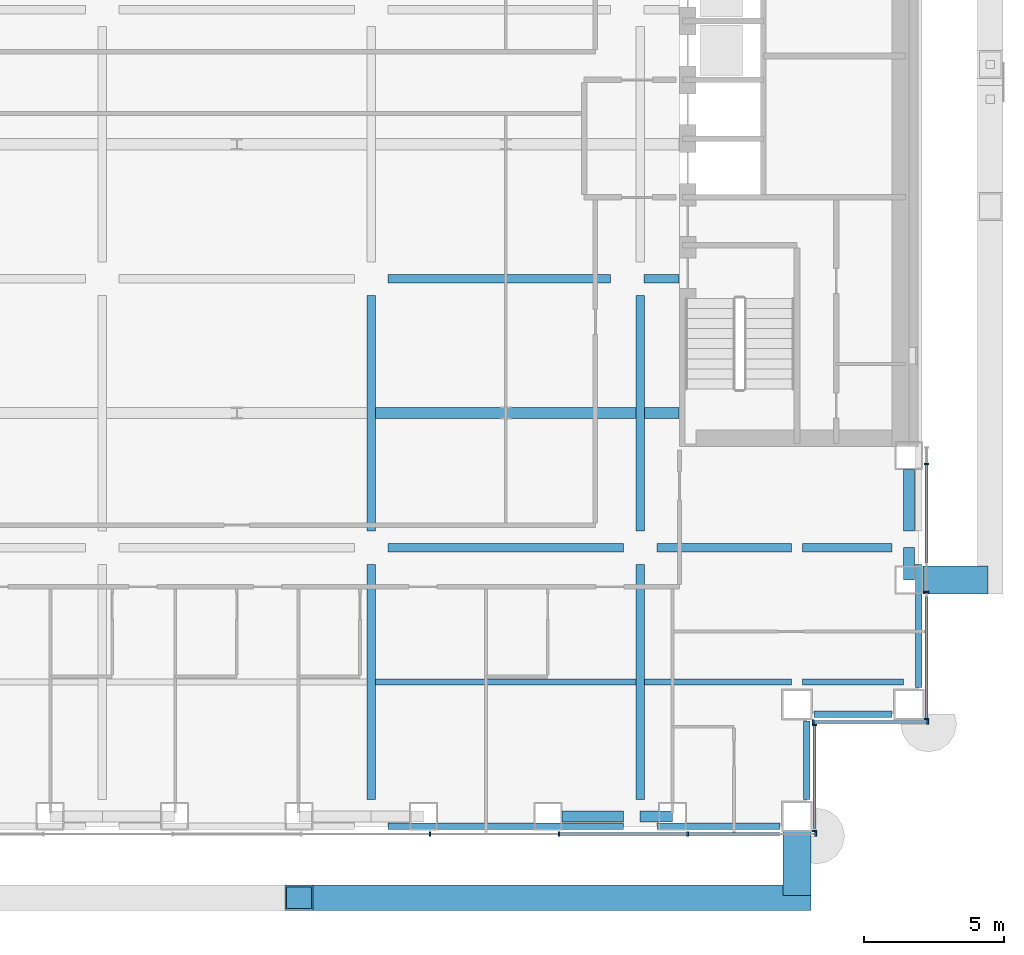
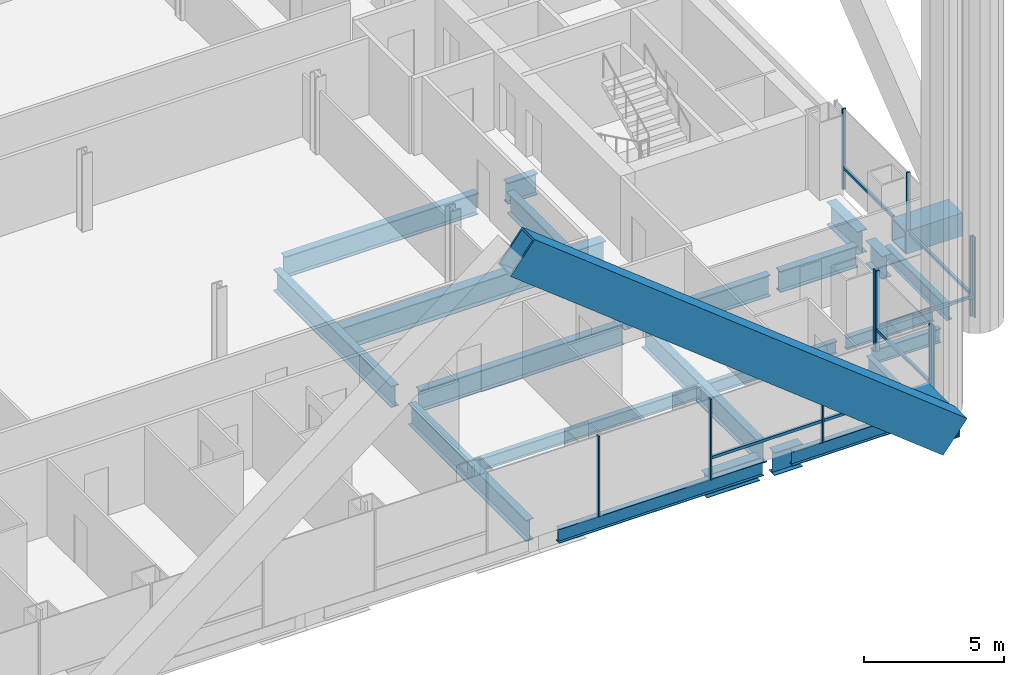
# One storey, part 6 of 28: 25 beams, 18 members, 4 elements without a shape of their own.
"""IFC4 building model written with IfcOpenShell, lengths in metres."""

from ifc_helpers import new_model, si_unit, direction, frame, origin, origin_2d, place, context, subcontext, project, spatial, rectangle, hollow_rectangle, i_section, extrude, material, material_profile, profile_set, type_object, element, aggregate, save


model = new_model("IFC4")

# Units and contexts
model_context = context("Model", 3, precision=1e-05, world=origin(), true_north=direction((0.0, 1.0)))
body_context = subcontext(model_context, "Body", "Model", "MODEL_VIEW")
ifc_project = project(units=[si_unit("LENGTHUNIT", "METRE"), si_unit("AREAUNIT", "SQUARE_METRE"), si_unit("VOLUMEUNIT", "CUBIC_METRE"), si_unit("PLANEANGLEUNIT", "RADIAN"), si_unit("MASSUNIT", "GRAM", prefix="KILO")], contexts=[model_context])

# Site, building, storey
site_placement = place(None, origin())
site = spatial("IfcSite", under=ifc_project, at=site_placement, CompositionType="ELEMENT")
building_placement = place(site_placement, origin())
building = spatial("IfcBuilding", under=site, at=building_placement, Name="Cobrizo Arcos Hotel Tower", CompositionType="ELEMENT")
storey_placement = place(building_placement, frame((0.0, 0.0, 39.0)))
storey = spatial("IfcBuildingStorey", under=building, at=storey_placement, Name="L07", CompositionType="ELEMENT", Elevation=39.0)

# Beams
ifc_material_1 = material(Name="Steel ASTM A572 Grade 50", Category="steel")
ifc_material_profile_1 = material_profile(ifc_material_1, hollow_rectangle(XDim=1.0, YDim=1.0, WallThickness=0.06005859375, at=origin_2d()), Name="BOX 1000X1000X60")
ifc_profile_set_1 = profile_set([ifc_material_profile_1], Name="Steel ASTM A572 Grade 50")
beam_type_1 = type_object("IfcBeamType", Name="BOX 1000X1000X60 brace connector strut", PredefinedType="BEAM", material=ifc_profile_set_1)
beam_1_placement = place(storey_placement, frame((24.489990234375, -15.5556640625, 0.5), z_axis=(1.0, 0.0, 0.0), x_axis=(0.0, 1.0, 0.0)))
element("IfcBeam", 1, at=beam_1_placement, inside=storey, type_object=beam_type_1, Name="Perimeter brace stub BS1, zone Z1, east face, offset -15.56 m, L07", PredefinedType="BEAM", context=body_context, shape_type="SweptSolid", body=[
    extrude(hollow_rectangle(XDim=1.0, YDim=1.0, WallThickness=0.06005859375, at=origin_2d()), origin(), (0.0, 0.0, 1.0), 2.330078125),
])
beam_2_placement = place(storey_placement, frame((20.0, -24.5400390625, 0.5), z_axis=(0.0, -1.0, 0.0), x_axis=(1.0, 0.0, 0.0)))
element("IfcBeam", 2, at=beam_2_placement, inside=storey, type_object=beam_type_1, Name="Perimeter brace stub BS1, zone Z1, south face, offset +20.00 m, L07", PredefinedType="BEAM", context=body_context, shape_type="SweptSolid", body=[
    extrude(hollow_rectangle(XDim=1.0, YDim=1.0, WallThickness=0.06005859375, at=origin_2d()), origin(), (0.0, 0.0, 1.0), 2.280029296875),
])

# Member
ifc_material_profile_2 = material_profile(ifc_material_1, hollow_rectangle(XDim=0.89990234375, YDim=1.60009765625, WallThickness=0.070068359375, at=origin_2d()), Name="BOX 900X1600X70")
ifc_profile_set_2 = profile_set([ifc_material_profile_2], Name="Steel ASTM A572 Grade 50")
member_type_1 = type_object("IfcMemberType", Name="BOX 900X1600X70 perimeter brace", PredefinedType="BRACE", material=ifc_profile_set_2)
member_1_placement = place(storey_placement, frame((20.0, -26.89990234375, 0.5), z_axis=(-0.785637232407, 0.0, 0.618687432437), x_axis=(0.0, -1.0, 0.0)))
element("IfcMember", 3, at=member_1_placement, inside=storey, type_object=member_type_1, Name="Perimeter brace PBR1, zone Z1, south face, no. 01", PredefinedType="BRACE", context=body_context, shape_type="SweptSolid", body=[
    extrude(hollow_rectangle(XDim=0.89990234375, YDim=1.60009765625, WallThickness=0.070068359375, at=origin_2d()), origin(), (0.0, 0.0, 1.0), 22.628662109375),
])

# Curtain wall, members
ifc_material_2 = material(Name="Aluminium 6063-T6 anodised bronze", Category="aluminium")
curtain_wall_type = type_object("IfcCurtainWallType", Name="CW-A guest facade", PredefinedType="NOTDEFINED", material=ifc_material_2)
curtain_wall_1_placement = place(storey_placement, origin())
curtain_wall_1 = element("IfcCurtainWall", 4, at=curtain_wall_1_placement, inside=storey, type_object=curtain_wall_type, Name="CW-A L07 S face", PredefinedType="NOTDEFINED")
ifc_material_profile_3 = material_profile(ifc_material_2, rectangle(XDim=0.14990234375, YDim=0.06005859375, at=origin_2d()), Name="CW-A mullion 150x60")
ifc_profile_set_3 = profile_set([ifc_material_profile_3], Name="Aluminium 6063-T6 anodised bronze")
member_type_2 = type_object("IfcMemberType", Name="CW-A mullion 150x60", PredefinedType="MULLION", material=ifc_profile_set_3)
member_2_placement = place(storey_placement, frame((6.89990234375, -24.625, 0.0), z_axis=(0.0, 0.0, 1.0), x_axis=(0.0, -1.0, 0.0)))
member_2 = element("IfcMember", 5, at=member_2_placement, type_object=member_type_2, Name="CW-A mullion 7", PredefinedType="MULLION", context=body_context, shape_type="SweptSolid", body=[
    extrude(rectangle(XDim=0.14990234375, YDim=0.06005859375, at=origin_2d()), origin(), (0.0, 0.0, 1.0), 3.5),
])
member_3_placement = place(storey_placement, frame((11.5, -24.625, 0.0), z_axis=(0.0, 0.0, 1.0), x_axis=(0.0, -1.0, 0.0)))
member_3 = element("IfcMember", 6, at=member_3_placement, type_object=member_type_2, Name="CW-A mullion 8", PredefinedType="MULLION", context=body_context, shape_type="SweptSolid", body=[
    extrude(rectangle(XDim=0.14990234375, YDim=0.06005859375, at=origin_2d()), origin(), (0.0, 0.0, 1.0), 3.5),
])
member_4_placement = place(storey_placement, frame((16.10009765625, -24.625, 0.0), z_axis=(0.0, 0.0, 1.0), x_axis=(0.0, -1.0, 0.0)))
member_4 = element("IfcMember", 7, at=member_4_placement, type_object=member_type_2, Name="CW-A mullion 9", PredefinedType="MULLION", context=body_context, shape_type="SweptSolid", body=[
    extrude(rectangle(XDim=0.14990234375, YDim=0.06005859375, at=origin_2d()), origin(), (0.0, 0.0, 1.0), 3.5),
])
member_5_placement = place(storey_placement, frame((20.669921875, -24.625, 0.0), z_axis=(0.0, 0.0, 1.0), x_axis=(0.0, -1.0, 0.0)))
member_5 = element("IfcMember", 8, at=member_5_placement, type_object=member_type_2, Name="CW-A mullion 10", PredefinedType="MULLION", context=body_context, shape_type="SweptSolid", body=[
    extrude(rectangle(XDim=0.14990234375, YDim=0.06005859375, at=origin_2d()), origin(), (0.0, 0.0, 1.0), 3.5),
])

curtain_wall_2_placement = place(storey_placement, origin())
curtain_wall_2 = element("IfcCurtainWall", 9, at=curtain_wall_2_placement, inside=storey, type_object=curtain_wall_type, Name="CW-A L07 E face", PredefinedType="NOTDEFINED")
member_6_placement = place(storey_placement, frame((20.625, -24.52001953125, 0.0), z_axis=(0.0, 0.0, 1.0), x_axis=(1.0, 0.0, 0.0)))
member_6 = element("IfcMember", 10, at=member_6_placement, type_object=member_type_2, Name="CW-A mullion 1", PredefinedType="MULLION", context=body_context, shape_type="SweptSolid", body=[
    extrude(rectangle(XDim=0.14990234375, YDim=0.06005859375, at=origin_2d()), origin(), (0.0, 0.0, 1.0), 3.5),
])
member_7_placement = place(storey_placement, frame((20.625, -20.72998046875, 0.0), z_axis=(0.0, 0.0, 1.0), x_axis=(1.0, 0.0, 0.0)))
member_7 = element("IfcMember", 11, at=member_7_placement, type_object=member_type_2, Name="CW-A mullion 2", PredefinedType="MULLION", context=body_context, shape_type="SweptSolid", body=[
    extrude(rectangle(XDim=0.14990234375, YDim=0.06005859375, at=origin_2d()), origin(), (0.0, 0.0, 1.0), 3.5),
])

curtain_wall_3_placement = place(storey_placement, origin())
curtain_wall_3 = element("IfcCurtainWall", 12, at=curtain_wall_3_placement, inside=storey, type_object=curtain_wall_type, Name="CW-A L07 S face", PredefinedType="NOTDEFINED")
member_8_placement = place(storey_placement, frame((20.580078125, -20.625, 0.0), z_axis=(0.0, 0.0, 1.0), x_axis=(0.0, -1.0, 0.0)))
member_8 = element("IfcMember", 13, at=member_8_placement, type_object=member_type_2, Name="CW-A mullion 1", PredefinedType="MULLION", context=body_context, shape_type="SweptSolid", body=[
    extrude(rectangle(XDim=0.14990234375, YDim=0.06005859375, at=origin_2d()), origin(), (0.0, 0.0, 1.0), 3.5),
])
member_9_placement = place(storey_placement, frame((24.669921875, -20.625, 0.0), z_axis=(0.0, 0.0, 1.0), x_axis=(0.0, -1.0, 0.0)))
member_9 = element("IfcMember", 14, at=member_9_placement, type_object=member_type_2, Name="CW-A mullion 2", PredefinedType="MULLION", context=body_context, shape_type="SweptSolid", body=[
    extrude(rectangle(XDim=0.14990234375, YDim=0.06005859375, at=origin_2d()), origin(), (0.0, 0.0, 1.0), 3.5),
])

curtain_wall_4_placement = place(storey_placement, origin())
curtain_wall_4 = element("IfcCurtainWall", 15, at=curtain_wall_4_placement, inside=storey, type_object=curtain_wall_type, Name="CW-A L07 E face", PredefinedType="NOTDEFINED")
member_10_placement = place(storey_placement, frame((24.625, -20.52001953125, 0.0), z_axis=(0.0, 0.0, 1.0), x_axis=(1.0, 0.0, 0.0)))
member_10 = element("IfcMember", 16, at=member_10_placement, type_object=member_type_2, Name="CW-A mullion 1", PredefinedType="MULLION", context=body_context, shape_type="SweptSolid", body=[
    extrude(rectangle(XDim=0.14990234375, YDim=0.06005859375, at=origin_2d()), origin(), (0.0, 0.0, 1.0), 3.5),
])
member_11_placement = place(storey_placement, frame((24.625, -15.9833984375, 0.0), z_axis=(0.0, 0.0, 1.0), x_axis=(1.0, 0.0, 0.0)))
member_11 = element("IfcMember", 17, at=member_11_placement, type_object=member_type_2, Name="CW-A mullion 2", PredefinedType="MULLION", context=body_context, shape_type="SweptSolid", body=[
    extrude(rectangle(XDim=0.14990234375, YDim=0.06005859375, at=origin_2d()), origin(), (0.0, 0.0, 1.0), 3.5),
])
member_12_placement = place(storey_placement, frame((24.625, -11.416748046875, 0.0), z_axis=(0.0, 0.0, 1.0), x_axis=(1.0, 0.0, 0.0)))
member_12 = element("IfcMember", 18, at=member_12_placement, type_object=member_type_2, Name="CW-A mullion 3", PredefinedType="MULLION", context=body_context, shape_type="SweptSolid", body=[
    extrude(rectangle(XDim=0.14990234375, YDim=0.06005859375, at=origin_2d()), origin(), (0.0, 0.0, 1.0), 3.5),
])

# Member
ifc_material_profile_4 = material_profile(ifc_material_2, rectangle(XDim=0.10009765625, YDim=0.1201171875, at=origin_2d()), Name="CW-A transom 120x100")
ifc_profile_set_4 = profile_set([ifc_material_profile_4], Name="Aluminium 6063-T6 anodised bronze")
member_type_3 = type_object("IfcMemberType", Name="CW-A transom 120x100", PredefinedType="USERDEFINED", material=ifc_profile_set_4)
member_13_placement = place(storey_placement, frame((11.530029296875, -24.625, 0.929931640625), z_axis=(1.0, 0.0, 0.0), x_axis=(0.0, 1.0, 0.0)))
member_13 = element("IfcMember", 19, at=member_13_placement, type_object=member_type_3, Name="CW-A transom 368", ObjectType="TRANSOM", PredefinedType="USERDEFINED", context=body_context, shape_type="SweptSolid", body=[
    extrude(rectangle(XDim=0.10009765625, YDim=0.1201171875, at=origin_2d()), origin(), (0.0, 0.0, 1.0), 4.5400390625),
])

member_14_placement = place(storey_placement, frame((16.1298828125, -24.625, 0.929931640625), z_axis=(1.0, 0.0, 0.0), x_axis=(0.0, 1.0, 0.0)))
member_14 = element("IfcMember", 20, at=member_14_placement, type_object=member_type_3, Name="CW-A transom 369", ObjectType="TRANSOM", PredefinedType="USERDEFINED", context=body_context, shape_type="SweptSolid", body=[
    extrude(rectangle(XDim=0.10009765625, YDim=0.1201171875, at=origin_2d()), origin(), (0.0, 0.0, 1.0), 3.27001953125),
])

aggregate(curtain_wall_1, [member_2, member_3, member_4, member_5, member_13, member_14])

member_15_placement = place(storey_placement, frame((20.625, -24.43994140625, 0.929931640625), z_axis=(0.0, 1.0, 0.0), x_axis=(-1.0, 0.0, 0.0)))
member_15 = element("IfcMember", 21, at=member_15_placement, type_object=member_type_3, Name="CW-A transom 370", ObjectType="TRANSOM", PredefinedType="USERDEFINED", context=body_context, shape_type="SweptSolid", body=[
    extrude(rectangle(XDim=0.10009765625, YDim=0.1201171875, at=origin_2d()), origin(), (0.0, 0.0, 1.0), 3.679931640625),
])

aggregate(curtain_wall_2, [member_6, member_7, member_15])

member_16_placement = place(storey_placement, frame((20.610107421875, -20.625, 0.929931640625), z_axis=(1.0, 0.0, 0.0), x_axis=(0.0, 1.0, 0.0)))
member_16 = element("IfcMember", 22, at=member_16_placement, type_object=member_type_3, Name="CW-A transom 371", ObjectType="TRANSOM", PredefinedType="USERDEFINED", context=body_context, shape_type="SweptSolid", body=[
    extrude(rectangle(XDim=0.10009765625, YDim=0.1201171875, at=origin_2d()), origin(), (0.0, 0.0, 1.0), 4.02978515625),
])

aggregate(curtain_wall_3, [member_8, member_9, member_16])

member_17_placement = place(storey_placement, frame((24.625, -20.489990234375, 0.929931640625), z_axis=(0.0, 1.0, 0.0), x_axis=(-1.0, 0.0, 0.0)))
member_17 = element("IfcMember", 23, at=member_17_placement, type_object=member_type_3, Name="CW-A transom 372", ObjectType="TRANSOM", PredefinedType="USERDEFINED", context=body_context, shape_type="SweptSolid", body=[
    extrude(rectangle(XDim=0.10009765625, YDim=0.1201171875, at=origin_2d()), origin(), (0.0, 0.0, 1.0), 4.33447265625),
])

member_18_placement = place(storey_placement, frame((24.625, -14.95556640625, 0.929931640625), z_axis=(0.0, 1.0, 0.0), x_axis=(-1.0, 0.0, 0.0)))
member_18 = element("IfcMember", 24, at=member_18_placement, type_object=member_type_3, Name="CW-A transom 373", ObjectType="TRANSOM", PredefinedType="USERDEFINED", context=body_context, shape_type="SweptSolid", body=[
    extrude(rectangle(XDim=0.10009765625, YDim=0.1201171875, at=origin_2d()), origin(), (0.0, 0.0, 1.0), 3.5087890625),
])

aggregate(curtain_wall_4, [member_10, member_11, member_12, member_17, member_18])

# Beams
ifc_material_3 = material(Name="Steel ASTM A992 Grade 50", Category="steel")
ifc_material_profile_5 = material_profile(ifc_material_3, i_section(OverallWidth=0.209228515625, OverallDepth=0.533447265625, WebThickness=0.01025390625, FlangeThickness=0.015625, at=origin_2d()), Name="W21X62")
ifc_profile_set_5 = profile_set([ifc_material_profile_5], Name="Steel ASTM A992 Grade 50")
beam_type_2 = type_object("IfcBeamType", Name="W21X62 joist", PredefinedType="JOIST", material=ifc_profile_set_5)
beam_3_placement = place(storey_placement, frame((4.95361328125, -19.199951171875, -0.416748046875), z_axis=(1.0, 0.0, 0.0), x_axis=(0.0, 1.0, 0.0)))
element("IfcBeam", 25, at=beam_3_placement, inside=storey, type_object=beam_type_2, Name="Floor joist J1, L07, no. 005", PredefinedType="JOIST", context=body_context, shape_type="SweptSolid", body=[
    extrude(i_section(OverallWidth=0.209228515625, OverallDepth=0.533447265625, WebThickness=0.01025390625, FlangeThickness=0.015625, at=origin_2d()), origin(), (0.0, 0.0, 1.0), 9.292724609375),
])
beam_4_placement = place(storey_placement, frame((14.5537109375, -19.199951171875, -0.416748046875), z_axis=(1.0, 0.0, 0.0), x_axis=(0.0, 1.0, 0.0)))
element("IfcBeam", 26, at=beam_4_placement, inside=storey, type_object=beam_type_2, Name="Floor joist J1, L07, no. 006", PredefinedType="JOIST", context=body_context, shape_type="SweptSolid", body=[
    extrude(i_section(OverallWidth=0.209228515625, OverallDepth=0.533447265625, WebThickness=0.01025390625, FlangeThickness=0.015625, at=origin_2d()), origin(), (0.0, 0.0, 1.0), 5.245849609375),
])
beam_5_placement = place(storey_placement, frame((20.200439453125, -19.199951171875, -0.416748046875), z_axis=(1.0, 0.0, 0.0), x_axis=(0.0, 1.0, 0.0)))
element("IfcBeam", 27, at=beam_5_placement, inside=storey, type_object=beam_type_2, Name="Floor joist J1, L07, no. 007", PredefinedType="JOIST", context=body_context, shape_type="SweptSolid", body=[
    extrude(i_section(OverallWidth=0.209228515625, OverallDepth=0.533447265625, WebThickness=0.01025390625, FlangeThickness=0.015625, at=origin_2d()), origin(), (0.0, 0.0, 1.0), 3.59912109375),
])
ifc_material_profile_6 = material_profile(ifc_material_3, i_section(OverallWidth=0.23046875, OverallDepth=0.6171875, WebThickness=0.01318359375, FlangeThickness=0.022216796875, at=origin_2d()), Name="W24X94")
ifc_profile_set_6 = profile_set([ifc_material_profile_6], Name="Steel ASTM A992 Grade 50")
beam_type_3 = type_object("IfcBeamType", Name="W24X94 spandrel", PredefinedType="SPANDREL", material=ifc_profile_set_6)
beam_6_placement = place(storey_placement, frame((24.35009765625, -15.0, -0.45849609375), z_axis=(0.0, -1.0, 0.0), x_axis=(1.0, 0.0, 0.0)))
element("IfcBeam", 28, at=beam_6_placement, inside=storey, type_object=beam_type_3, Name="Spandrel beam W24X94, L07, no. 015", PredefinedType="SPANDREL", context=body_context, shape_type="SweptSolid", body=[
    extrude(i_section(OverallWidth=0.23046875, OverallDepth=0.6171875, WebThickness=0.01318359375, FlangeThickness=0.022216796875, at=origin_2d()), origin(), (0.0, 0.0, 1.0), 4.39990234375),
])
for number, where, z_axis, x_axis, name in (
    (29, (23.39990234375, -20.35009765625, -0.45849609375), (-1.0, 0.0, 0.0), (0.0, -1.0, 0.0), "Spandrel beam W24X94, L07, no. 016"),
    (30, (20.35009765625, -20.60009765625, -0.45849609375), (0.0, -1.0, 0.0), (1.0, 0.0, 0.0), "Spandrel beam W24X94, L07, no. 017"),
):
    element("IfcBeam", number, at=place(storey_placement, frame(where, z_axis=z_axis, x_axis=x_axis)), inside=storey, type_object=beam_type_3, Name=name, PredefinedType="SPANDREL", context=body_context, shape_type="SweptSolid", body=[
        extrude(i_section(OverallWidth=0.23046875, OverallDepth=0.6171875, WebThickness=0.01318359375, FlangeThickness=0.022216796875, at=origin_2d()), origin(), (0.0, 0.0, 1.0), 2.7998046875),
    ])
beam_7_placement = place(storey_placement, frame((19.39990234375, -24.35009765625, -0.45849609375), z_axis=(-1.0, 0.0, 0.0), x_axis=(0.0, -1.0, 0.0)))
element("IfcBeam", 31, at=beam_7_placement, inside=storey, type_object=beam_type_3, Name="Spandrel beam W24X94, L07, no. 018", PredefinedType="SPANDREL", context=body_context, shape_type="SweptSolid", body=[
    extrude(i_section(OverallWidth=0.23046875, OverallDepth=0.6171875, WebThickness=0.01318359375, FlangeThickness=0.022216796875, at=origin_2d()), origin(), (0.0, 0.0, 1.0), 4.39990234375),
])
beam_8_placement = place(storey_placement, frame((13.800048828125, -24.35009765625, -0.45849609375), z_axis=(-1.0, 0.0, 0.0), x_axis=(0.0, -1.0, 0.0)))
element("IfcBeam", 32, at=beam_8_placement, inside=storey, type_object=beam_type_3, Name="Spandrel beam W24X94, L07, no. 019", PredefinedType="SPANDREL", context=body_context, shape_type="SweptSolid", body=[
    extrude(i_section(OverallWidth=0.23046875, OverallDepth=0.6171875, WebThickness=0.01318359375, FlangeThickness=0.022216796875, at=origin_2d()), origin(), (0.0, 0.0, 1.0), 8.400146484375),
])
ifc_material_profile_7 = material_profile(ifc_material_3, i_section(OverallWidth=0.307373046875, OverallDepth=0.927001953125, WebThickness=0.01953125, FlangeThickness=0.031982421875, at=origin_2d()), Name="W36X194")
ifc_profile_set_7 = profile_set([ifc_material_profile_7], Name="Steel ASTM A992 Grade 50")
beam_type_4 = type_object("IfcBeamType", Name="W36X194 podium girder", PredefinedType="BEAM", material=ifc_profile_set_7)
beam_9_placement = place(storey_placement, frame((5.39990234375, -14.39990234375, -0.613525390625), z_axis=(1.0, 0.0, 0.0), x_axis=(0.0, 1.0, 0.0)))
element("IfcBeam", 33, at=beam_9_placement, inside=storey, type_object=beam_type_4, Name="Podium girder PG1, L07, no. 005", PredefinedType="BEAM", context=body_context, shape_type="SweptSolid", body=[
    extrude(i_section(OverallWidth=0.307373046875, OverallDepth=0.927001953125, WebThickness=0.01953125, FlangeThickness=0.031982421875, at=origin_2d()), origin(), (0.0, 0.0, 1.0), 8.400146484375),
])
beam_10_placement = place(storey_placement, frame((15.0, -14.39990234375, -0.613525390625), z_axis=(1.0, 0.0, 0.0), x_axis=(0.0, 1.0, 0.0)))
element("IfcBeam", 34, at=beam_10_placement, inside=storey, type_object=beam_type_4, Name="Podium girder PG1, L07, no. 006", PredefinedType="BEAM", context=body_context, shape_type="SweptSolid", body=[
    extrude(i_section(OverallWidth=0.307373046875, OverallDepth=0.927001953125, WebThickness=0.01953125, FlangeThickness=0.031982421875, at=origin_2d()), origin(), (0.0, 0.0, 1.0), 4.799560546875),
])
beam_11_placement = place(storey_placement, frame((20.200439453125, -14.39990234375, -0.613525390625), z_axis=(1.0, 0.0, 0.0), x_axis=(0.0, 1.0, 0.0)))
element("IfcBeam", 35, at=beam_11_placement, inside=storey, type_object=beam_type_4, Name="Podium girder PG1, L07, no. 007", PredefinedType="BEAM", context=body_context, shape_type="SweptSolid", body=[
    extrude(i_section(OverallWidth=0.307373046875, OverallDepth=0.927001953125, WebThickness=0.01953125, FlangeThickness=0.031982421875, at=origin_2d()), origin(), (0.0, 0.0, 1.0), 3.199462890625),
])
beam_12_placement = place(storey_placement, frame((5.39990234375, -4.800048828125, -0.613525390625), z_axis=(1.0, 0.0, 0.0), x_axis=(0.0, 1.0, 0.0)))
element("IfcBeam", 36, at=beam_12_placement, inside=storey, type_object=beam_type_4, Name="Podium girder PG1, L07, no. 010", PredefinedType="BEAM", context=body_context, shape_type="SweptSolid", body=[
    extrude(i_section(OverallWidth=0.307373046875, OverallDepth=0.927001953125, WebThickness=0.01953125, FlangeThickness=0.031982421875, at=origin_2d()), origin(), (0.0, 0.0, 1.0), 7.940185546875),
])
beam_13_placement = place(storey_placement, frame((14.5400390625, -4.800048828125, -0.613525390625), z_axis=(1.0, 0.0, 0.0), x_axis=(0.0, 1.0, 0.0)))
element("IfcBeam", 37, at=beam_13_placement, inside=storey, type_object=beam_type_4, Name="Podium girder PG1, L07, no. 011", PredefinedType="BEAM", context=body_context, shape_type="SweptSolid", body=[
    extrude(i_section(OverallWidth=0.307373046875, OverallDepth=0.927001953125, WebThickness=0.01953125, FlangeThickness=0.031982421875, at=origin_2d()), origin(), (0.0, 0.0, 1.0), 1.25),
])
beam_14_placement = place(storey_placement, frame((4.800048828125, -23.39990234375, -0.613525390625), z_axis=(0.0, 1.0, 0.0), x_axis=(-1.0, 0.0, 0.0)))
element("IfcBeam", 38, at=beam_14_placement, inside=storey, type_object=beam_type_4, Name="Podium girder PG1, L07, no. 033", PredefinedType="BEAM", context=body_context, shape_type="SweptSolid", body=[
    extrude(i_section(OverallWidth=0.307373046875, OverallDepth=0.927001953125, WebThickness=0.01953125, FlangeThickness=0.031982421875, at=origin_2d()), origin(), (0.0, 0.0, 1.0), 8.39990234375),
])
beam_15_placement = place(storey_placement, frame((4.800048828125, -13.800048828125, -0.613525390625), z_axis=(0.0, 1.0, 0.0), x_axis=(-1.0, 0.0, 0.0)))
element("IfcBeam", 39, at=beam_15_placement, inside=storey, type_object=beam_type_4, Name="Podium girder PG1, L07, no. 034", PredefinedType="BEAM", context=body_context, shape_type="SweptSolid", body=[
    extrude(i_section(OverallWidth=0.307373046875, OverallDepth=0.927001953125, WebThickness=0.01953125, FlangeThickness=0.031982421875, at=origin_2d()), origin(), (0.0, 0.0, 1.0), 8.400146484375),
])
beam_16_placement = place(storey_placement, frame((14.39990234375, -23.39990234375, -0.613525390625), z_axis=(0.0, 1.0, 0.0), x_axis=(-1.0, 0.0, 0.0)))
element("IfcBeam", 40, at=beam_16_placement, inside=storey, type_object=beam_type_4, Name="Podium girder PG1, L07, no. 038", PredefinedType="BEAM", context=body_context, shape_type="SweptSolid", body=[
    extrude(i_section(OverallWidth=0.307373046875, OverallDepth=0.927001953125, WebThickness=0.01953125, FlangeThickness=0.031982421875, at=origin_2d()), origin(), (0.0, 0.0, 1.0), 8.39990234375),
])
beam_17_placement = place(storey_placement, frame((14.39990234375, -13.800048828125, -0.613525390625), z_axis=(0.0, 1.0, 0.0), x_axis=(-1.0, 0.0, 0.0)))
element("IfcBeam", 41, at=beam_17_placement, inside=storey, type_object=beam_type_4, Name="Podium girder PG1, L07, no. 039", PredefinedType="BEAM", context=body_context, shape_type="SweptSolid", body=[
    extrude(i_section(OverallWidth=0.307373046875, OverallDepth=0.927001953125, WebThickness=0.01953125, FlangeThickness=0.031982421875, at=origin_2d()), origin(), (0.0, 0.0, 1.0), 8.400146484375),
])
ifc_material_profile_8 = material_profile(ifc_material_3, i_section(OverallWidth=0.4013671875, OverallDepth=0.990478515625, WebThickness=0.0166015625, FlangeThickness=0.025390625, at=origin_2d()), Name="W40X215")
ifc_profile_set_8 = profile_set([ifc_material_profile_8], Name="Steel ASTM A992 Grade 50")
beam_type_5 = type_object("IfcBeamType", Name="W40X215 transfer girder", PredefinedType="BEAM", material=ifc_profile_set_8)
beam_18_placement = place(storey_placement, frame((4.95361328125, -9.60009765625, -0.645263671875), z_axis=(1.0, 0.0, 0.0), x_axis=(0.0, 1.0, 0.0)))
element("IfcBeam", 42, at=beam_18_placement, inside=storey, type_object=beam_type_5, Name="Transfer girder TG1, L07, no. 004", PredefinedType="BEAM", context=body_context, shape_type="SweptSolid", body=[
    extrude(i_section(OverallWidth=0.4013671875, OverallDepth=0.990478515625, WebThickness=0.0166015625, FlangeThickness=0.025390625, at=origin_2d()), origin(), (0.0, 0.0, 1.0), 9.292724609375),
])
beam_19_placement = place(storey_placement, frame((14.5537109375, -9.60009765625, -0.645263671875), z_axis=(1.0, 0.0, 0.0), x_axis=(0.0, 1.0, 0.0)))
element("IfcBeam", 43, at=beam_19_placement, inside=storey, type_object=beam_type_5, Name="Transfer girder TG1, L07, no. 005", PredefinedType="BEAM", context=body_context, shape_type="SweptSolid", body=[
    extrude(i_section(OverallWidth=0.4013671875, OverallDepth=0.990478515625, WebThickness=0.0166015625, FlangeThickness=0.025390625, at=origin_2d()), origin(), (0.0, 0.0, 1.0), 1.236328125),
])
beam_20_placement = place(storey_placement, frame((13.800048828125, -24.0, -0.645263671875), z_axis=(-1.0, 0.0, 0.0), x_axis=(0.0, -1.0, 0.0)))
element("IfcBeam", 44, at=beam_20_placement, inside=storey, type_object=beam_type_5, Name="Setback transfer girder TG1, L07, no. 014", PredefinedType="BEAM", context=body_context, shape_type="SweptSolid", body=[
    extrude(i_section(OverallWidth=0.4013671875, OverallDepth=0.990478515625, WebThickness=0.0166015625, FlangeThickness=0.025390625, at=origin_2d()), origin(), (0.0, 0.0, 1.0), 2.18896484375),
])
for number, where, z_axis, x_axis, name in (
    (45, (14.39990234375, -24.0, -0.645263671875), (1.0, 0.0, 0.0), (0.0, 1.0, 0.0), "Setback transfer girder TG1, L07, no. 016"),
    (46, (24.0, -14.39990234375, -0.645263671875), (0.0, -1.0, 0.0), (1.0, 0.0, 0.0), "Setback transfer girder TG1, L07, no. 017"),
):
    element("IfcBeam", number, at=place(storey_placement, frame(where, z_axis=z_axis, x_axis=x_axis)), inside=storey, type_object=beam_type_5, Name=name, PredefinedType="BEAM", context=body_context, shape_type="SweptSolid", body=[
        extrude(i_section(OverallWidth=0.4013671875, OverallDepth=0.990478515625, WebThickness=0.0166015625, FlangeThickness=0.025390625, at=origin_2d()), origin(), (0.0, 0.0, 1.0), 1.156005859375),
    ])
beam_21_placement = place(storey_placement, frame((24.0, -13.800048828125, -0.645263671875), z_axis=(0.0, 1.0, 0.0), x_axis=(-1.0, 0.0, 0.0)))
element("IfcBeam", 47, at=beam_21_placement, inside=storey, type_object=beam_type_5, Name="Setback transfer girder TG1, L07, no. 019", PredefinedType="BEAM", context=body_context, shape_type="SweptSolid", body=[
    extrude(i_section(OverallWidth=0.4013671875, OverallDepth=0.990478515625, WebThickness=0.0166015625, FlangeThickness=0.025390625, at=origin_2d()), origin(), (0.0, 0.0, 1.0), 2.18896484375),
])

save(model, "model.ifc")
